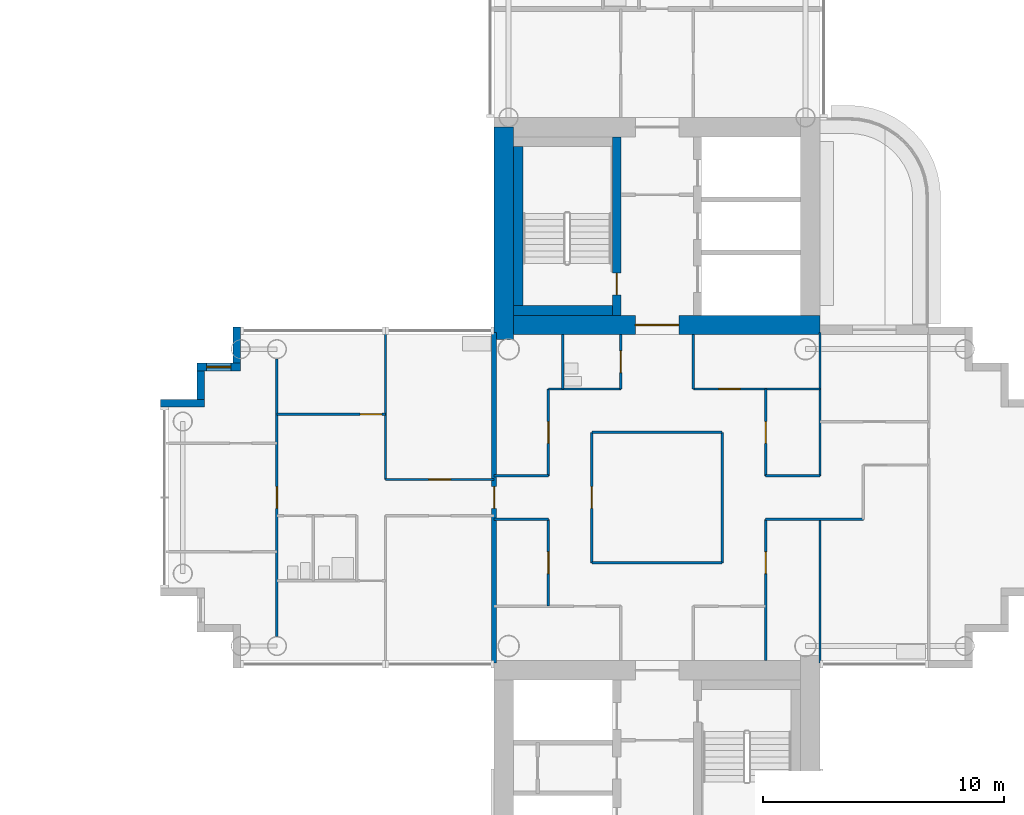
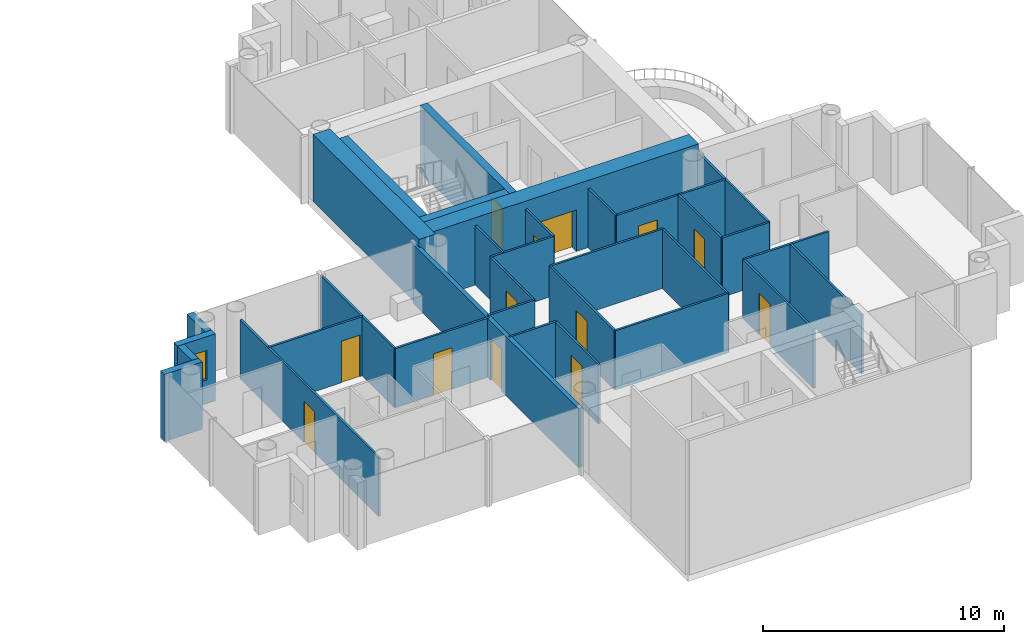
# One storey, part 11 of 20: 33 walls, 13 doors, 1 window, 14 openings.
"""IFC4 building model written with IfcOpenShell, lengths in metres."""

from ifc_helpers import new_model, si_unit, direction, frame, frame_2d, origin, place, context, subcontext, project, spatial, rectangle, extrude, material, layer, layer_set, type_object, element, fill, save


model = new_model("IFC4")

# Units and contexts
model_context = context("Model", 3, precision=1e-05, world=origin(), true_north=direction((0.0, 1.0)))
body_context = subcontext(model_context, "Body", "Model", "MODEL_VIEW")
ifc_project = project(units=[si_unit("LENGTHUNIT", "METRE"), si_unit("AREAUNIT", "SQUARE_METRE"), si_unit("VOLUMEUNIT", "CUBIC_METRE"), si_unit("PLANEANGLEUNIT", "RADIAN"), si_unit("MASSUNIT", "GRAM", prefix="KILO")], contexts=[model_context])

# Site, building, storey
site_placement = place(None, origin())
site = spatial("IfcSite", under=ifc_project, at=site_placement, CompositionType="ELEMENT")
building_placement = place(site_placement, origin())
building = spatial("IfcBuilding", under=site, at=building_placement, Name="Ipe Terrace Towers", CompositionType="ELEMENT")
storey_placement = place(building_placement, frame((0.0, 0.0, 160.89990234375)))
storey = spatial("IfcBuildingStorey", under=building, at=storey_placement, Name="L44", CompositionType="ELEMENT", Elevation=160.89990234375)

# Wall
ifc_material_1 = material(Name="Concrete C40/50 with buff precast cladding", Category="concrete")
ifc_layer_1 = layer(ifc_material_1, 0.320068359375)
ifc_layer_set_1 = layer_set([ifc_layer_1], Name="BUFF CLADDING WALL 320")
wall_type_1 = type_object("IfcWallType", Name="BUFF CLADDING WALL 320", PredefinedType="STANDARD", material=ifc_layer_set_1)
wall_1_placement = place(storey_placement, frame((18.590087890625, 7.070068359375, -0.2998046875), z_axis=(0.0, 0.0, 1.0), x_axis=(0.0, -1.0, 0.0)))
element("IfcWall", 1, at=wall_1_placement, inside=storey, type_object=wall_type_1, Name="T2-W-L44-30a wall", PredefinedType="STANDARD", context=body_context, shape_type="SweptSolid", body=[
    extrude(rectangle(XDim=1.5, YDim=0.320068359375, at=frame_2d((0.75, 0.0))), origin(), (0.0, 0.0, 1.0), 3.39990234375),
])

# Wall, opening, window
wall_2_placement = place(storey_placement, frame((18.75, 5.409912109375, -0.2998046875), z_axis=(0.0, 0.0, 1.0), x_axis=(-1.0, 0.0, 0.0)))
wall_2 = element("IfcWall", 2, at=wall_2_placement, inside=storey, type_object=wall_type_1, Name="T2-W-L44-31a wall", PredefinedType="STANDARD", context=body_context, shape_type="SweptSolid", body=[
    extrude(rectangle(XDim=1.820068359375, YDim=0.320068359375, at=frame_2d((0.91015625, 0.0))), origin(), (0.0, 0.0, 1.0), 3.39990234375),
])
opening_1_placement = place(wall_2_placement, frame((0.409912109375, 0.0, 1.199951171875)))
opening_1 = element("IfcOpeningElement", 3, at=opening_1_placement, cuts=wall_2, Name="Opening T2-W-05-L44-02", PredefinedType="OPENING", context=body_context, shape_type="SweptSolid", body=[
    extrude(rectangle(XDim=1.0, YDim=1.5, at=frame_2d((0.5, 0.75))), frame((0.0, 0.169921875, 0.0), z_axis=(0.0, -1.0, 0.0), x_axis=(1.0, 0.0, 0.0)), (0.0, 0.0, 1.0), 0.340087890625),
])
ifc_material_2 = material(Name="Glass, clear laminated", Category="glass")
window_type = type_object("IfcWindowType", Name="DWELLING WINDOW 1000 x 1500", PartitioningType="SINGLE_PANEL", PredefinedType="WINDOW", material=ifc_material_2)
window_placement = place(opening_1_placement, origin())
window = element("IfcWindow", 4, at=window_placement, inside=storey, type_object=window_type, Name="W-05 window", OverallHeight=1.5, OverallWidth=1.0, PartitioningType="SINGLE_PANEL", PredefinedType="WINDOW", context=body_context, shape_type="SweptSolid", body=[
    extrude(rectangle(XDim=1.0, YDim=1.5, at=frame_2d((0.5, 0.75))), frame((0.0, 0.030029296875, 0.0), z_axis=(0.0, -1.0, 0.0), x_axis=(1.0, 0.0, 0.0)), (0.0, 0.0, 1.0), 0.06005859375),
])
fill(opening_1, window)

# Walls
wall_3_placement = place(storey_placement, frame((17.090087890625, 5.25, -0.2998046875), z_axis=(0.0, 0.0, 1.0), x_axis=(0.0, -1.0, 0.0)))
element("IfcWall", 5, at=wall_3_placement, inside=storey, type_object=wall_type_1, Name="T2-W-L44-32a wall", PredefinedType="STANDARD", context=body_context, shape_type="SweptSolid", body=[
    extrude(rectangle(XDim=1.179931640625, YDim=0.320068359375, at=frame_2d((0.58984375, 0.0))), origin(), (0.0, 0.0, 1.0), 3.39990234375),
])
wall_4_placement = place(storey_placement, frame((17.25, 3.909912109375, -0.2998046875), z_axis=(0.0, 0.0, 1.0), x_axis=(-1.0, 0.0, 0.0)))
element("IfcWall", 6, at=wall_4_placement, inside=storey, type_object=wall_type_1, Name="T2-W-L44-33a wall", PredefinedType="STANDARD", context=body_context, shape_type="SweptSolid", body=[
    extrude(rectangle(XDim=1.820068359375, YDim=0.320068359375, at=frame_2d((0.91015625, 0.0))), origin(), (0.0, 0.0, 1.0), 3.39990234375),
])
ifc_material_3 = material(Name="Gypsum board partition", Category="plasterboard")
ifc_layer_2 = layer(ifc_material_3, 0.10009765625)
ifc_layer_set_2 = layer_set([ifc_layer_2], Name="Gypsum board partition 100 mm")
wall_type_2 = type_object("IfcWallType", Name="Gypsum board partition 100 mm", PredefinedType="PARTITIONING", material=ifc_layer_set_2)
wall_5_placement = place(storey_placement, frame((38.699951171875, -2.699951171875, 0.0), z_axis=(0.0, 0.0, 1.0), x_axis=(-1.0, 0.0, 0.0)))
element("IfcWall", 7, at=wall_5_placement, inside=storey, type_object=wall_type_2, Name="Gypsum board partition T2 L44 W04", PredefinedType="PARTITIONING", context=body_context, shape_type="SweptSolid", body=[
    extrude(rectangle(XDim=5.39990234375, YDim=0.10009765625, at=frame_2d((2.699951171875, 0.0))), origin(), (0.0, 0.0, 1.0), 3.0),
])
wall_6_placement = place(storey_placement, frame((44.550048828125, -0.89990234375, 0.0), z_axis=(0.0, 0.0, 1.0), x_axis=(-1.0, 0.0, 0.0)))
element("IfcWall", 8, at=wall_6_placement, inside=storey, type_object=wall_type_2, Name="Gypsum board partition T2 L44 W06", PredefinedType="PARTITIONING", context=body_context, shape_type="SweptSolid", body=[
    extrude(rectangle(XDim=4.050048828125, YDim=0.10009765625, at=frame_2d((2.02490234375, 0.0))), origin(), (0.0, 0.0, 1.0), 3.0),
])
wall_7_placement = place(storey_placement, frame((31.5, -0.89990234375, 0.0), z_axis=(0.0, 0.0, 1.0), x_axis=(-1.0, 0.0, 0.0)))
element("IfcWall", 9, at=wall_7_placement, inside=storey, type_object=wall_type_2, Name="Gypsum board partition T2 L44 W07", PredefinedType="PARTITIONING", context=body_context, shape_type="SweptSolid", body=[
    extrude(rectangle(XDim=2.25, YDim=0.10009765625, at=frame_2d((1.125, 0.0))), origin(), (0.0, 0.0, 1.0), 3.0),
])

# Wall, opening, door
wall_8_placement = place(storey_placement, frame((29.25, 0.75, 0.0), z_axis=(0.0, 0.0, 1.0), x_axis=(-1.0, 0.0, 0.0)))
wall_8 = element("IfcWall", 10, at=wall_8_placement, inside=storey, type_object=wall_type_2, Name="Gypsum board partition T2 L44 W10", PredefinedType="PARTITIONING", context=body_context, shape_type="SweptSolid", body=[
    extrude(rectangle(XDim=4.5, YDim=0.10009765625, at=frame_2d((2.25, 0.0))), origin(), (0.0, 0.0, 1.0), 3.0),
])
opening_2_placement = place(wall_8_placement, frame((1.800048828125, 0.0, 0.0)))
opening_2 = element("IfcOpeningElement", 11, at=opening_2_placement, cuts=wall_8, Name="Opening T2-Z3C-11", PredefinedType="OPENING", context=body_context, shape_type="SweptSolid", body=[
    extrude(rectangle(XDim=0.89990234375, YDim=2.10009765625, at=frame_2d((0.449951171875, 1.050048828125))), frame((0.0, 0.06005859375, 0.0), z_axis=(0.0, -1.0, 0.0), x_axis=(1.0, 0.0, 0.0)), (0.0, 0.0, 1.0), 0.1201171875),
])
ifc_material_4 = material(Name="Timber door leaf", Category="wood")
door_type_1 = type_object("IfcDoorType", Name="Lounge door 900 x 2100", OperationType="NOTDEFINED", PredefinedType="DOOR", material=ifc_material_4)
door_1_placement = place(opening_2_placement, origin())
door_1 = element("IfcDoor", 12, at=door_1_placement, inside=storey, type_object=door_type_1, Name="Lounge door T2-Z3C-11", OperationType="SINGLE_SWING_RIGHT", OverallHeight=2.10009765625, OverallWidth=0.89990234375, PredefinedType="DOOR", context=body_context, shape_type="SweptSolid", body=[
    extrude(rectangle(XDim=0.89990234375, YDim=2.10009765625, at=frame_2d((0.449951171875, 1.050048828125))), frame((0.0, 0.02490234375, 0.0), z_axis=(0.0, -1.0, 0.0), x_axis=(1.0, 0.0, 0.0)), (0.0, 0.0, 1.0), 0.050048828125),
])
fill(opening_2, door_1)

# Walls
for number, where, z_axis, x_axis, name in (
    (13, (42.75, 0.89990234375, 0.0), (0.0, 0.0, 1.0), (-1.0, 0.0, 0.0), "Gypsum board partition T2 L44 W11"),
    (14, (31.5, 0.89990234375, 0.0), (0.0, 0.0, 1.0), (-1.0, 0.0, 0.0), "Gypsum board partition T2 L44 W12"),
):
    element("IfcWall", number, at=place(storey_placement, frame(where, z_axis=z_axis, x_axis=x_axis)), inside=storey, type_object=wall_type_2, Name=name, PredefinedType="PARTITIONING", context=body_context, shape_type="SweptSolid", body=[
        extrude(rectangle(XDim=2.25, YDim=0.10009765625, at=frame_2d((1.125, 0.0))), origin(), (0.0, 0.0, 1.0), 3.0),
    ])
wall_9_placement = place(storey_placement, frame((38.699951171875, 2.699951171875, 0.0), z_axis=(0.0, 0.0, 1.0), x_axis=(-1.0, 0.0, 0.0)))
element("IfcWall", 15, at=wall_9_placement, inside=storey, type_object=wall_type_2, Name="Gypsum board partition T2 L44 W15", PredefinedType="PARTITIONING", context=body_context, shape_type="SweptSolid", body=[
    extrude(rectangle(XDim=5.39990234375, YDim=0.10009765625, at=frame_2d((2.699951171875, 0.0))), origin(), (0.0, 0.0, 1.0), 3.0),
])

# Wall, opening, door
wall_10_placement = place(storey_placement, frame((24.75, 3.449951171875, 0.0), z_axis=(0.0, 0.0, 1.0), x_axis=(-1.0, 0.0, 0.0)))
wall_10 = element("IfcWall", 16, at=wall_10_placement, inside=storey, type_object=wall_type_2, Name="Gypsum board partition T2 L44 W17", PredefinedType="PARTITIONING", context=body_context, shape_type="SweptSolid", body=[
    extrude(rectangle(XDim=4.5, YDim=0.10009765625, at=frame_2d((2.25, 0.0))), origin(), (0.0, 0.0, 1.0), 3.0),
])
opening_3_placement = place(wall_10_placement, frame((0.14990234375, 0.0, 0.0)))
opening_3 = element("IfcOpeningElement", 17, at=opening_3_placement, cuts=wall_10, Name="Opening T2-Z3C-16", PredefinedType="OPENING", context=body_context, shape_type="SweptSolid", body=[
    extrude(rectangle(XDim=0.89990234375, YDim=2.10009765625, at=frame_2d((0.449951171875, 1.050048828125))), frame((0.0, 0.06005859375, 0.0), z_axis=(0.0, -1.0, 0.0), x_axis=(1.0, 0.0, 0.0)), (0.0, 0.0, 1.0), 0.1201171875),
])
ifc_material_5 = material(Name="Timber door leaf", Category="wood")
door_type_2 = type_object("IfcDoorType", Name="Bedroom door 900 x 2100", OperationType="NOTDEFINED", PredefinedType="DOOR", material=ifc_material_5)
door_2_placement = place(opening_3_placement, origin())
door_2 = element("IfcDoor", 18, at=door_2_placement, inside=storey, type_object=door_type_2, Name="Bedroom door T2-Z3C-16", OperationType="SINGLE_SWING_LEFT", OverallHeight=2.10009765625, OverallWidth=0.89990234375, PredefinedType="DOOR", context=body_context, shape_type="SweptSolid", body=[
    extrude(rectangle(XDim=0.89990234375, YDim=2.10009765625, at=frame_2d((0.449951171875, 1.050048828125))), frame((0.0, 0.02490234375, 0.0), z_axis=(0.0, -1.0, 0.0), x_axis=(1.0, 0.0, 0.0)), (0.0, 0.0, 1.0), 0.050048828125),
])
fill(opening_3, door_2)

wall_11_placement = place(storey_placement, frame((42.75, 4.5, 0.0), z_axis=(0.0, 0.0, 1.0), x_axis=(-1.0, 0.0, 0.0)))
wall_11 = element("IfcWall", 19, at=wall_11_placement, inside=storey, type_object=wall_type_2, Name="Gypsum board partition T2 L44 W18", PredefinedType="PARTITIONING", context=body_context, shape_type="SweptSolid", body=[
    extrude(rectangle(XDim=5.25, YDim=0.10009765625, at=frame_2d((2.625, 0.0))), origin(), (0.0, 0.0, 1.0), 3.0),
])
opening_4_placement = place(wall_11_placement, frame((3.300048828125, 0.0, 0.0)))
opening_4 = element("IfcOpeningElement", 20, at=opening_4_placement, cuts=wall_11, Name="Opening T2-Z3C-09", PredefinedType="OPENING", context=body_context, shape_type="SweptSolid", body=[
    extrude(rectangle(XDim=0.89990234375, YDim=2.10009765625, at=frame_2d((0.449951171875, 1.050048828125))), frame((0.0, 0.06005859375, 0.0), z_axis=(0.0, -1.0, 0.0), x_axis=(1.0, 0.0, 0.0)), (0.0, 0.0, 1.0), 0.1201171875),
])
door_3_placement = place(opening_4_placement, origin())
door_3 = element("IfcDoor", 21, at=door_3_placement, inside=storey, type_object=door_type_1, Name="Lounge door T2-Z3C-09", OperationType="SINGLE_SWING_RIGHT", OverallHeight=2.10009765625, OverallWidth=0.89990234375, PredefinedType="DOOR", context=body_context, shape_type="SweptSolid", body=[
    extrude(rectangle(XDim=0.89990234375, YDim=2.10009765625, at=frame_2d((0.449951171875, 1.050048828125))), frame((0.0, 0.02490234375, 0.0), z_axis=(0.0, -1.0, 0.0), x_axis=(1.0, 0.0, 0.0)), (0.0, 0.0, 1.0), 0.050048828125),
])
fill(opening_4, door_3)

# Walls
wall_12_placement = place(storey_placement, frame((34.5, 4.5, 0.0), z_axis=(0.0, 0.0, 1.0), x_axis=(-1.0, 0.0, 0.0)))
element("IfcWall", 22, at=wall_12_placement, inside=storey, type_object=wall_type_2, Name="Gypsum board partition T2 L44 W19", PredefinedType="PARTITIONING", context=body_context, shape_type="SweptSolid", body=[
    extrude(rectangle(XDim=3.0, YDim=0.10009765625, at=frame_2d((1.5, 0.0))), origin(), (0.0, 0.0, 1.0), 3.0),
])
for number, where, z_axis, x_axis, name in (
    (23, (42.75, -6.85009765625, 0.0), (0.0, 0.0, 1.0), (0.0, 1.0, 0.0), "Gypsum board partition T2 L44 W24"),
    (24, (42.75, 0.89990234375, 0.0), (0.0, 0.0, 1.0), (0.0, 1.0, 0.0), "Gypsum board partition T2 L44 W25"),
):
    element("IfcWall", number, at=place(storey_placement, frame(where, z_axis=z_axis, x_axis=x_axis)), inside=storey, type_object=wall_type_2, Name=name, PredefinedType="PARTITIONING", context=body_context, shape_type="SweptSolid", body=[
        extrude(rectangle(XDim=5.9501953125, YDim=0.10009765625, at=frame_2d((2.97509765625, 0.0))), origin(), (0.0, 0.0, 1.0), 3.0),
    ])

# Wall, opening, door
wall_13_placement = place(storey_placement, frame((40.5, -6.75, 0.0), z_axis=(0.0, 0.0, 1.0), x_axis=(0.0, 1.0, 0.0)))
wall_13 = element("IfcWall", 25, at=wall_13_placement, inside=storey, type_object=wall_type_2, Name="Gypsum board partition T2 L44 W26", PredefinedType="PARTITIONING", context=body_context, shape_type="SweptSolid", body=[
    extrude(rectangle(XDim=5.85009765625, YDim=0.10009765625, at=frame_2d((2.925048828125, 0.0))), origin(), (0.0, 0.0, 1.0), 3.0),
])
opening_5_placement = place(wall_13_placement, frame((3.60009765625, 0.0, 0.0)))
opening_5 = element("IfcOpeningElement", 26, at=opening_5_placement, cuts=wall_13, Name="Opening T2-Z3C-06", PredefinedType="OPENING", context=body_context, shape_type="SweptSolid", body=[
    extrude(rectangle(XDim=0.89990234375, YDim=2.10009765625, at=frame_2d((0.449951171875, 1.050048828125))), frame((0.0, 0.06005859375, 0.0), z_axis=(0.0, -1.0, 0.0), x_axis=(1.0, 0.0, 0.0)), (0.0, 0.0, 1.0), 0.1201171875),
])
door_4_placement = place(opening_5_placement, origin())
door_4 = element("IfcDoor", 27, at=door_4_placement, inside=storey, type_object=door_type_1, Name="Lounge door T2-Z3C-06", OperationType="SINGLE_SWING_RIGHT", OverallHeight=2.10009765625, OverallWidth=0.89990234375, PredefinedType="DOOR", context=body_context, shape_type="SweptSolid", body=[
    extrude(rectangle(XDim=0.89990234375, YDim=2.10009765625, at=frame_2d((0.449951171875, 1.050048828125))), frame((0.0, 0.02490234375, 0.0), z_axis=(0.0, -1.0, 0.0), x_axis=(1.0, 0.0, 0.0)), (0.0, 0.0, 1.0), 0.050048828125),
])
fill(opening_5, door_4)

wall_14_placement = place(storey_placement, frame((40.5, 0.89990234375, 0.0), z_axis=(0.0, 0.0, 1.0), x_axis=(0.0, 1.0, 0.0)))
wall_14 = element("IfcWall", 28, at=wall_14_placement, inside=storey, type_object=wall_type_2, Name="Gypsum board partition T2 L44 W27", PredefinedType="PARTITIONING", context=body_context, shape_type="SweptSolid", body=[
    extrude(rectangle(XDim=3.60009765625, YDim=0.10009765625, at=frame_2d((1.800048828125, 0.0))), origin(), (0.0, 0.0, 1.0), 3.0),
])
opening_6_placement = place(wall_14_placement, frame((1.35009765625, 0.0, 0.0)))
opening_6 = element("IfcOpeningElement", 29, at=opening_6_placement, cuts=wall_14, Name="Opening T2-Z3C-08", PredefinedType="OPENING", context=body_context, shape_type="SweptSolid", body=[
    extrude(rectangle(XDim=0.89990234375, YDim=2.10009765625, at=frame_2d((0.449951171875, 1.050048828125))), frame((0.0, 0.06005859375, 0.0), z_axis=(0.0, -1.0, 0.0), x_axis=(1.0, 0.0, 0.0)), (0.0, 0.0, 1.0), 0.1201171875),
])
door_5_placement = place(opening_6_placement, origin())
door_5 = element("IfcDoor", 30, at=door_5_placement, inside=storey, type_object=door_type_1, Name="Lounge door T2-Z3C-08", OperationType="SINGLE_SWING_RIGHT", OverallHeight=2.10009765625, OverallWidth=0.89990234375, PredefinedType="DOOR", context=body_context, shape_type="SweptSolid", body=[
    extrude(rectangle(XDim=0.89990234375, YDim=2.10009765625, at=frame_2d((0.449951171875, 1.050048828125))), frame((0.0, 0.02490234375, 0.0), z_axis=(0.0, -1.0, 0.0), x_axis=(1.0, 0.0, 0.0)), (0.0, 0.0, 1.0), 0.050048828125),
])
fill(opening_6, door_5)

# Walls
wall_15_placement = place(storey_placement, frame((38.699951171875, -2.699951171875, 0.0), z_axis=(0.0, 0.0, 1.0), x_axis=(0.0, 1.0, 0.0)))
element("IfcWall", 31, at=wall_15_placement, inside=storey, type_object=wall_type_2, Name="Gypsum board partition T2 L44 W28", PredefinedType="PARTITIONING", context=body_context, shape_type="SweptSolid", body=[
    extrude(rectangle(XDim=5.39990234375, YDim=0.10009765625, at=frame_2d((2.699951171875, 0.0))), origin(), (0.0, 0.0, 1.0), 3.0),
])
wall_16_placement = place(storey_placement, frame((37.5, 4.5, 0.0), z_axis=(0.0, 0.0, 1.0), x_axis=(0.0, 1.0, 0.0)))
element("IfcWall", 32, at=wall_16_placement, inside=storey, type_object=wall_type_2, Name="Gypsum board partition T2 L44 W31", PredefinedType="PARTITIONING", context=body_context, shape_type="SweptSolid", body=[
    extrude(rectangle(XDim=2.25, YDim=0.10009765625, at=frame_2d((1.125, 0.0))), origin(), (0.0, 0.0, 1.0), 3.0),
])

# Wall, opening, door
wall_17_placement = place(storey_placement, frame((34.5, 4.5, 0.0), z_axis=(0.0, 0.0, 1.0), x_axis=(0.0, 1.0, 0.0)))
wall_17 = element("IfcWall", 33, at=wall_17_placement, inside=storey, type_object=wall_type_2, Name="Gypsum board partition T2 L44 W35", PredefinedType="PARTITIONING", context=body_context, shape_type="SweptSolid", body=[
    extrude(rectangle(XDim=2.25, YDim=0.10009765625, at=frame_2d((1.125, 0.0))), origin(), (0.0, 0.0, 1.0), 3.0),
])
opening_7_placement = place(wall_17_placement, frame((0.675048828125, 0.0, 0.0)))
opening_7 = element("IfcOpeningElement", 34, at=opening_7_placement, cuts=wall_17, Name="Opening T2-Z3C-02", PredefinedType="OPENING", context=body_context, shape_type="SweptSolid", body=[
    extrude(rectangle(XDim=0.89990234375, YDim=2.10009765625, at=frame_2d((0.449951171875, 1.050048828125))), frame((0.0, 0.06005859375, 0.0), z_axis=(0.0, -1.0, 0.0), x_axis=(1.0, 0.0, 0.0)), (0.0, 0.0, 1.0), 0.1201171875),
])
ifc_material_6 = material(Name="Timber door leaf", Category="wood")
door_type_3 = type_object("IfcDoorType", Name="Bathroom door 900 x 2100", OperationType="NOTDEFINED", PredefinedType="DOOR", material=ifc_material_6)
door_6_placement = place(opening_7_placement, origin())
door_6 = element("IfcDoor", 35, at=door_6_placement, inside=storey, type_object=door_type_3, Name="Bathroom door T2-Z3C-02", OperationType="SINGLE_SWING_LEFT", OverallHeight=2.10009765625, OverallWidth=0.89990234375, PredefinedType="DOOR", context=body_context, shape_type="SweptSolid", body=[
    extrude(rectangle(XDim=0.89990234375, YDim=2.10009765625, at=frame_2d((0.449951171875, 1.050048828125))), frame((0.0, 0.02490234375, 0.0), z_axis=(0.0, -1.0, 0.0), x_axis=(1.0, 0.0, 0.0)), (0.0, 0.0, 1.0), 0.050048828125),
])
fill(opening_7, door_6)

wall_18_placement = place(storey_placement, frame((33.300048828125, -2.699951171875, 0.0), z_axis=(0.0, 0.0, 1.0), x_axis=(0.0, 1.0, 0.0)))
wall_18 = element("IfcWall", 36, at=wall_18_placement, inside=storey, type_object=wall_type_2, Name="Gypsum board partition T2 L44 W38", PredefinedType="PARTITIONING", context=body_context, shape_type="SweptSolid", body=[
    extrude(rectangle(XDim=5.39990234375, YDim=0.10009765625, at=frame_2d((2.699951171875, 0.0))), origin(), (0.0, 0.0, 1.0), 3.0),
])
opening_8_placement = place(wall_18_placement, frame((2.25, 0.0, 0.0)))
opening_8 = element("IfcOpeningElement", 37, at=opening_8_placement, cuts=wall_18, Name="Opening T2-Z3C-01", PredefinedType="OPENING", context=body_context, shape_type="SweptSolid", body=[
    extrude(rectangle(XDim=0.89990234375, YDim=2.10009765625, at=frame_2d((0.449951171875, 1.050048828125))), frame((0.0, 0.06005859375, 0.0), z_axis=(0.0, -1.0, 0.0), x_axis=(1.0, 0.0, 0.0)), (0.0, 0.0, 1.0), 0.1201171875),
])
door_7_placement = place(opening_8_placement, origin())
door_7 = element("IfcDoor", 38, at=door_7_placement, inside=storey, type_object=door_type_1, Name="Lounge door T2-Z3C-01", OperationType="SINGLE_SWING_RIGHT", OverallHeight=2.10009765625, OverallWidth=0.89990234375, PredefinedType="DOOR", context=body_context, shape_type="SweptSolid", body=[
    extrude(rectangle(XDim=0.89990234375, YDim=2.10009765625, at=frame_2d((0.449951171875, 1.050048828125))), frame((0.0, 0.02490234375, 0.0), z_axis=(0.0, -1.0, 0.0), x_axis=(1.0, 0.0, 0.0)), (0.0, 0.0, 1.0), 0.050048828125),
])
fill(opening_8, door_7)

# Wall
wall_19_placement = place(storey_placement, frame((32.10009765625, 4.5, 0.0), z_axis=(0.0, 0.0, 1.0), x_axis=(0.0, 1.0, 0.0)))
element("IfcWall", 39, at=wall_19_placement, inside=storey, type_object=wall_type_2, Name="Gypsum board partition T2 L44 W39", PredefinedType="PARTITIONING", context=body_context, shape_type="SweptSolid", body=[
    extrude(rectangle(XDim=2.25, YDim=0.10009765625, at=frame_2d((1.125, 0.0))), origin(), (0.0, 0.0, 1.0), 3.0),
])

# Wall, opening, door
wall_20_placement = place(storey_placement, frame((31.5, -4.5, 0.0), z_axis=(0.0, 0.0, 1.0), x_axis=(0.0, 1.0, 0.0)))
wall_20 = element("IfcWall", 40, at=wall_20_placement, inside=storey, type_object=wall_type_2, Name="Gypsum board partition T2 L44 W40", PredefinedType="PARTITIONING", context=body_context, shape_type="SweptSolid", body=[
    extrude(rectangle(XDim=3.60009765625, YDim=0.10009765625, at=frame_2d((1.800048828125, 0.0))), origin(), (0.0, 0.0, 1.0), 3.0),
])
opening_9_placement = place(wall_20_placement, frame((1.35009765625, 0.0, 0.0)))
opening_9 = element("IfcOpeningElement", 41, at=opening_9_placement, cuts=wall_20, Name="Opening T2-Z3C-04", PredefinedType="OPENING", context=body_context, shape_type="SweptSolid", body=[
    extrude(rectangle(XDim=0.89990234375, YDim=2.10009765625, at=frame_2d((0.449951171875, 1.050048828125))), frame((0.0, 0.06005859375, 0.0), z_axis=(0.0, -1.0, 0.0), x_axis=(1.0, 0.0, 0.0)), (0.0, 0.0, 1.0), 0.1201171875),
])
door_8_placement = place(opening_9_placement, origin())
door_8 = element("IfcDoor", 42, at=door_8_placement, inside=storey, type_object=door_type_1, Name="Lounge door T2-Z3C-04", OperationType="SINGLE_SWING_RIGHT", OverallHeight=2.10009765625, OverallWidth=0.89990234375, PredefinedType="DOOR", context=body_context, shape_type="SweptSolid", body=[
    extrude(rectangle(XDim=0.89990234375, YDim=2.10009765625, at=frame_2d((0.449951171875, 1.050048828125))), frame((0.0, 0.02490234375, 0.0), z_axis=(0.0, -1.0, 0.0), x_axis=(1.0, 0.0, 0.0)), (0.0, 0.0, 1.0), 0.050048828125),
])
fill(opening_9, door_8)

wall_21_placement = place(storey_placement, frame((31.5, 0.89990234375, 0.0), z_axis=(0.0, 0.0, 1.0), x_axis=(0.0, 1.0, 0.0)))
wall_21 = element("IfcWall", 43, at=wall_21_placement, inside=storey, type_object=wall_type_2, Name="Gypsum board partition T2 L44 W41", PredefinedType="PARTITIONING", context=body_context, shape_type="SweptSolid", body=[
    extrude(rectangle(XDim=3.60009765625, YDim=0.10009765625, at=frame_2d((1.800048828125, 0.0))), origin(), (0.0, 0.0, 1.0), 3.0),
])
opening_10_placement = place(wall_21_placement, frame((1.35009765625, 0.0, 0.0)))
opening_10 = element("IfcOpeningElement", 44, at=opening_10_placement, cuts=wall_21, Name="Opening T2-Z3C-03", PredefinedType="OPENING", context=body_context, shape_type="SweptSolid", body=[
    extrude(rectangle(XDim=0.89990234375, YDim=2.10009765625, at=frame_2d((0.449951171875, 1.050048828125))), frame((0.0, 0.06005859375, 0.0), z_axis=(0.0, -1.0, 0.0), x_axis=(1.0, 0.0, 0.0)), (0.0, 0.0, 1.0), 0.1201171875),
])
door_9_placement = place(opening_10_placement, origin())
door_9 = element("IfcDoor", 45, at=door_9_placement, inside=storey, type_object=door_type_1, Name="Lounge door T2-Z3C-03", OperationType="SINGLE_SWING_LEFT", OverallHeight=2.10009765625, OverallWidth=0.89990234375, PredefinedType="DOOR", context=body_context, shape_type="SweptSolid", body=[
    extrude(rectangle(XDim=0.89990234375, YDim=2.10009765625, at=frame_2d((0.449951171875, 1.050048828125))), frame((0.0, 0.02490234375, 0.0), z_axis=(0.0, -1.0, 0.0), x_axis=(1.0, 0.0, 0.0)), (0.0, 0.0, 1.0), 0.050048828125),
])
fill(opening_10, door_9)

# Wall
wall_22_placement = place(storey_placement, frame((24.75, 0.75, 0.0), z_axis=(0.0, 0.0, 1.0), x_axis=(0.0, 1.0, 0.0)))
element("IfcWall", 46, at=wall_22_placement, inside=storey, type_object=wall_type_2, Name="Gypsum board partition T2 L44 W44", PredefinedType="PARTITIONING", context=body_context, shape_type="SweptSolid", body=[
    extrude(rectangle(XDim=6.10009765625, YDim=0.10009765625, at=frame_2d((3.050048828125, 0.0))), origin(), (0.0, 0.0, 1.0), 3.0),
])

# Wall, opening, door
wall_23_placement = place(storey_placement, frame((20.25, -5.75, 0.0), z_axis=(0.0, 0.0, 1.0), x_axis=(0.0, 1.0, 0.0)))
wall_23 = element("IfcWall", 47, at=wall_23_placement, inside=storey, type_object=wall_type_2, Name="Gypsum board partition T2 L44 W47", PredefinedType="PARTITIONING", context=body_context, shape_type="SweptSolid", body=[
    extrude(rectangle(XDim=11.5, YDim=0.10009765625, at=frame_2d((5.75, 0.0))), origin(), (0.0, 0.0, 1.0), 3.0),
])
opening_11_placement = place(wall_23_placement, frame((5.300048828125, 0.0, 0.0)))
opening_11 = element("IfcOpeningElement", 48, at=opening_11_placement, cuts=wall_23, Name="Opening T2-Z3C-17", PredefinedType="OPENING", context=body_context, shape_type="SweptSolid", body=[
    extrude(rectangle(XDim=0.89990234375, YDim=2.10009765625, at=frame_2d((0.449951171875, 1.050048828125))), frame((0.0, 0.06005859375, 0.0), z_axis=(0.0, -1.0, 0.0), x_axis=(1.0, 0.0, 0.0)), (0.0, 0.0, 1.0), 0.1201171875),
])
door_10_placement = place(opening_11_placement, origin())
door_10 = element("IfcDoor", 49, at=door_10_placement, inside=storey, type_object=door_type_1, Name="Lounge door T2-Z3C-17", OperationType="SINGLE_SWING_LEFT", OverallHeight=2.10009765625, OverallWidth=0.89990234375, PredefinedType="DOOR", context=body_context, shape_type="SweptSolid", body=[
    extrude(rectangle(XDim=0.89990234375, YDim=2.10009765625, at=frame_2d((0.449951171875, 1.050048828125))), frame((0.0, 0.02490234375, 0.0), z_axis=(0.0, -1.0, 0.0), x_axis=(1.0, 0.0, 0.0)), (0.0, 0.0, 1.0), 0.050048828125),
])
fill(opening_11, door_10)

ifc_material_7 = material(Name="Gypsum board party wall", Category="plasterboard")
ifc_layer_3 = layer(ifc_material_7, 0.199951171875)
ifc_layer_set_3 = layer_set([ifc_layer_3], Name="Gypsum board party wall 200 mm")
wall_type_3 = type_object("IfcWallType", Name="Gypsum board party wall 200 mm", PredefinedType="SOLIDWALL", material=ifc_layer_set_3)
wall_24_placement = place(storey_placement, frame((29.25, -6.85009765625, 0.0), z_axis=(0.0, 0.0, 1.0), x_axis=(0.0, 1.0, 0.0)))
wall_24 = element("IfcWall", 50, at=wall_24_placement, inside=storey, type_object=wall_type_3, Name="Gypsum board party wall T2 L44 W42", PredefinedType="SOLIDWALL", context=body_context, shape_type="SweptSolid", body=[
    extrude(rectangle(XDim=13.7001953125, YDim=0.199951171875, at=frame_2d((6.85009765625, 0.0))), origin(), (0.0, 0.0, 1.0), 3.0),
])
opening_12_placement = place(wall_24_placement, frame((6.39990234375, 0.0, 0.0)))
opening_12 = element("IfcOpeningElement", 51, at=opening_12_placement, cuts=wall_24, Name="Opening T2-Z3C-12", PredefinedType="OPENING", context=body_context, shape_type="SweptSolid", body=[
    extrude(rectangle(XDim=0.89990234375, YDim=2.10009765625, at=frame_2d((0.449951171875, 1.050048828125))), frame((0.0, 0.10986328125, 0.0), z_axis=(0.0, -1.0, 0.0), x_axis=(1.0, 0.0, 0.0)), (0.0, 0.0, 1.0), 0.219970703125),
])
ifc_material_8 = material(Name="Fire-rated timber door leaf", Category="wood")
door_type_4 = type_object("IfcDoorType", Name="Flat entrance door 900 x 2100 FD30S", OperationType="NOTDEFINED", PredefinedType="DOOR", material=ifc_material_8)
door_11_placement = place(opening_12_placement, origin())
door_11 = element("IfcDoor", 52, at=door_11_placement, inside=storey, type_object=door_type_4, Name="Flat entrance door T2-Z3C-12", OperationType="SINGLE_SWING_LEFT", OverallHeight=2.10009765625, OverallWidth=0.89990234375, PredefinedType="DOOR", context=body_context, shape_type="SweptSolid", body=[
    extrude(rectangle(XDim=0.89990234375, YDim=2.10009765625, at=frame_2d((0.449951171875, 1.050048828125))), frame((0.0, 0.02490234375, 0.0), z_axis=(0.0, -1.0, 0.0), x_axis=(1.0, 0.0, 0.0)), (0.0, 0.0, 1.0), 0.050048828125),
])
fill(opening_12, door_11)

ifc_material_9 = material(Name="Concrete C50/60", Category="concrete")
ifc_layer_4 = layer(ifc_material_9, 0.35009765625)
ifc_layer_set_4 = layer_set([ifc_layer_4], Name="RW350 CORE SPINE WALL 350 C50-60")
wall_type_4 = type_object("IfcWallType", Name="RW350 CORE SPINE WALL 350 C50-60", PredefinedType="SHEAR", material=ifc_layer_set_4)
wall_25_placement = place(storey_placement, frame((34.324951171875, 7.550048828125, 0.0), z_axis=(0.0, 0.0, 1.0), x_axis=(0.0, 1.0, 0.0)))
wall_25 = element("IfcWall", 53, at=wall_25_placement, inside=storey, type_object=wall_type_4, Name="Core spine wall T2-C1-Z3-SW1", PredefinedType="SHEAR", context=body_context, shape_type="SweptSolid", body=[
    extrude(rectangle(XDim=7.39990234375, YDim=0.35009765625, at=frame_2d((3.699951171875, 0.0))), origin(), (0.0, 0.0, 1.0), 3.400146484375),
])
opening_13_placement = place(wall_25_placement, frame((0.85009765625, 0.0, 0.0)))
opening_13 = element("IfcOpeningElement", 54, at=opening_13_placement, cuts=wall_25, Name="Opening T2C1-SD", PredefinedType="OPENING", context=body_context, shape_type="SweptSolid", body=[
    extrude(rectangle(XDim=0.89990234375, YDim=2.10009765625, at=frame_2d((0.449951171875, 1.050048828125))), frame((0.0, 0.18505859375, 0.0), z_axis=(0.0, -1.0, 0.0), x_axis=(1.0, 0.0, 0.0)), (0.0, 0.0, 1.0), 0.3701171875),
])
ifc_material_10 = material(Name="Fire-rated timber door leaf", Category="wood")
door_type_5 = type_object("IfcDoorType", Name="Stair door 900 x 2100 FD60", OperationType="NOTDEFINED", PredefinedType="DOOR", material=ifc_material_10)
door_12_placement = place(opening_13_placement, origin())
door_12 = element("IfcDoor", 55, at=door_12_placement, inside=storey, type_object=door_type_5, Name="Stair door T2C1-SD", OperationType="SINGLE_SWING_LEFT", OverallHeight=2.10009765625, OverallWidth=0.89990234375, PredefinedType="DOOR", context=body_context, shape_type="SweptSolid", body=[
    extrude(rectangle(XDim=0.89990234375, YDim=2.10009765625, at=frame_2d((0.449951171875, 1.050048828125))), frame((0.0, 0.02490234375, 0.0), z_axis=(0.0, -1.0, 0.0), x_axis=(1.0, 0.0, 0.0)), (0.0, 0.0, 1.0), 0.050048828125),
])
fill(opening_13, door_12)

# Walls
ifc_material_11 = material(Name="Concrete C50/60", Category="concrete")
ifc_layer_5 = layer(ifc_material_11, 0.39990234375)
ifc_layer_set_5 = layer_set([ifc_layer_5], Name="RW400 CORE INFILL WALL 400 C50-60")
wall_type_5 = type_object("IfcWallType", Name="RW400 CORE INFILL WALL 400 C50-60", PredefinedType="SHEAR", material=ifc_layer_set_5)
wall_26_placement = place(storey_placement, frame((30.25, 7.949951171875, 0.0), z_axis=(0.0, 0.0, 1.0), x_axis=(0.0, 1.0, 0.0)))
element("IfcWall", 56, at=wall_26_placement, inside=storey, type_object=wall_type_5, Name="Core infill wall T2-C1-back", PredefinedType="SHEAR", context=body_context, shape_type="SweptSolid", body=[
    extrude(rectangle(XDim=6.60009765625, YDim=0.39990234375, at=frame_2d((3.300048828125, 0.0))), origin(), (0.0, 0.0, 1.0), 3.400146484375),
])
wall_27_placement = place(storey_placement, frame((34.14990234375, 7.75, 0.0), z_axis=(0.0, 0.0, 1.0), x_axis=(-1.0, 0.0, 0.0)))
element("IfcWall", 57, at=wall_27_placement, inside=storey, type_object=wall_type_5, Name="Core infill wall T2-C1-near", PredefinedType="SHEAR", context=body_context, shape_type="SweptSolid", body=[
    extrude(rectangle(XDim=4.099853515625, YDim=0.39990234375, at=frame_2d((2.0498046875, 0.0))), origin(), (0.0, 0.0, 1.0), 3.400146484375),
])

# Wall, opening, door
ifc_material_12 = material(Name="Concrete C50/60", Category="concrete")
ifc_layer_6 = layer(ifc_material_12, 0.800048828125)
ifc_layer_set_6 = layer_set([ifc_layer_6], Name="RW800 CORE WALL 800 C50-60")
wall_type_6 = type_object("IfcWallType", Name="RW800 CORE WALL 800 C50-60", PredefinedType="SHEAR", material=ifc_layer_set_6)
wall_28_placement = place(storey_placement, frame((30.050048828125, 7.14990234375, 0.0), z_axis=(0.0, 0.0, 1.0), x_axis=(1.0, 0.0, 0.0)))
wall_28 = element("IfcWall", 58, at=wall_28_placement, inside=storey, type_object=wall_type_6, Name="Core wall T2-C1-Z3-W01", PredefinedType="SHEAR", context=body_context, shape_type="SweptSolid", body=[
    extrude(rectangle(XDim=12.699951171875, YDim=0.800048828125, at=frame_2d((6.35009765625, 0.0))), origin(), (0.0, 0.0, 1.0), 3.400146484375),
])
opening_14_placement = place(wall_28_placement, frame((5.050048828125, 0.0, 0.0)))
opening_14 = element("IfcOpeningElement", 59, at=opening_14_placement, cuts=wall_28, Name="Opening T2C1-ND", PredefinedType="OPENING", context=body_context, shape_type="SweptSolid", body=[
    extrude(rectangle(XDim=1.800048828125, YDim=2.10009765625, at=frame_2d((0.89990234375, 1.050048828125))), frame((0.0, 0.41015625, 0.0), z_axis=(0.0, -1.0, 0.0), x_axis=(1.0, 0.0, 0.0)), (0.0, 0.0, 1.0), 0.820068359375),
])
ifc_material_13 = material(Name="Fire-rated timber door leaf", Category="wood")
door_type_6 = type_object("IfcDoorType", Name="Fire door 1800 x 2100 FD30S", OperationType="NOTDEFINED", PredefinedType="DOOR", material=ifc_material_13)
door_13_placement = place(opening_14_placement, origin())
door_13 = element("IfcDoor", 60, at=door_13_placement, inside=storey, type_object=door_type_6, Name="Fire door T2C1-ND", OperationType="SINGLE_SWING_LEFT", OverallHeight=2.10009765625, OverallWidth=1.800048828125, PredefinedType="DOOR", context=body_context, shape_type="SweptSolid", body=[
    extrude(rectangle(XDim=1.800048828125, YDim=2.10009765625, at=frame_2d((0.89990234375, 1.050048828125))), frame((0.0, 0.02490234375, 0.0), z_axis=(0.0, -1.0, 0.0), x_axis=(1.0, 0.0, 0.0)), (0.0, 0.0, 1.0), 0.050048828125),
])
fill(opening_14, door_13)

# Wall
wall_29_placement = place(storey_placement, frame((29.64990234375, 15.347900390625, 0.0), z_axis=(0.0, 0.0, 1.0), x_axis=(0.0, -1.0, 0.0)))
element("IfcWall", 61, at=wall_29_placement, inside=storey, type_object=wall_type_6, Name="Core wall T2-C1-Z3-W04", PredefinedType="SHEAR", context=body_context, shape_type="SweptSolid", body=[
    extrude(rectangle(XDim=8.7958984375, YDim=0.800048828125, at=frame_2d((4.39794921875, 0.0))), origin(), (0.0, 0.0, 1.0), 3.400146484375),
])

save(model, "model.ifc")
